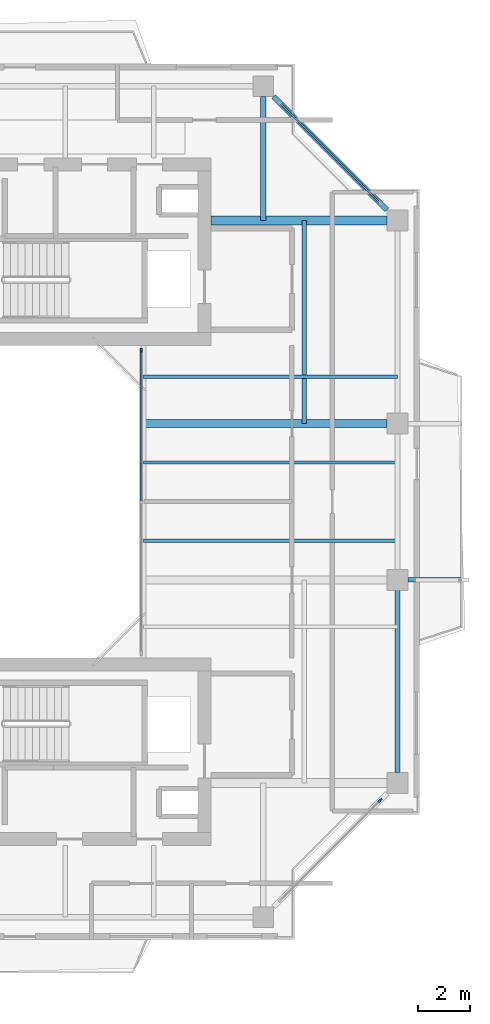
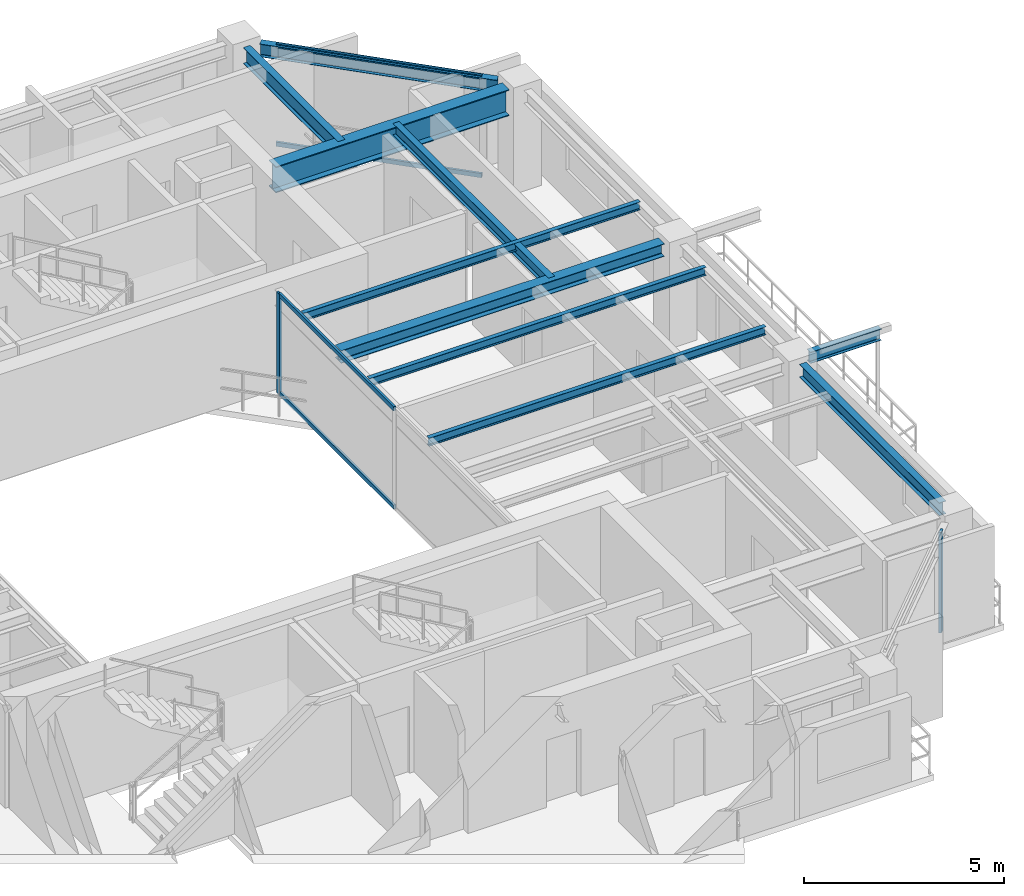
# One storey, part 6 of 15: 10 beams, 6 members, 3 elements without a shape of their own.
"""IFC4 building model written with IfcOpenShell, lengths in metres."""

from ifc_helpers import new_model, si_unit, direction, frame, origin, origin_2d, place, context, subcontext, project, spatial, rectangle, i_section, extrude, source, transform, mapped, material, layer, layer_set, material_profile, profile_set, type_object, element, aggregate, save


model = new_model("IFC4")

# Units and contexts
model_context = context("Model", 3, precision=1e-05, world=origin(), true_north=direction((0.0, 1.0)))
body_context = subcontext(model_context, "Body", "Model", "MODEL_VIEW")
ifc_project = project(units=[si_unit("LENGTHUNIT", "METRE"), si_unit("AREAUNIT", "SQUARE_METRE"), si_unit("VOLUMEUNIT", "CUBIC_METRE"), si_unit("PLANEANGLEUNIT", "RADIAN"), si_unit("MASSUNIT", "GRAM", prefix="KILO"), si_unit("THERMODYNAMICTEMPERATUREUNIT", "KELVIN"), si_unit("POWERUNIT", "WATT")], contexts=[model_context])

# Site, building, storey
site_placement = place(None, origin())
site = spatial("IfcSite", under=ifc_project, at=site_placement, CompositionType="ELEMENT")
building_placement = place(site_placement, origin())
building = spatial("IfcBuilding", under=site, at=building_placement, Name="Qiaomeng Ring Towers", CompositionType="ELEMENT")
storey_placement = place(building_placement, frame((0.0, 0.0, 226.25)))
storey = spatial("IfcBuildingStorey", under=building, at=storey_placement, Name="L66", CompositionType="ELEMENT", Elevation=226.25)

# Beams
ifc_material_1 = material(Name="Steel Q355B", Category="steel")
ifc_material_profile_1 = material_profile(ifc_material_1, i_section(OverallWidth=0.198974609375, OverallDepth=0.39599609375, WebThickness=0.007080078125, FlangeThickness=0.010986328125, FilletRadius=0.01611328125, at=origin_2d()), Name="HN 396x199x7x11")
ifc_profile_set_1 = profile_set([ifc_material_profile_1], Name="Steel Q355B")
beam_type_1 = type_object("IfcBeamType", Name="STR-BM-HN396", PredefinedType="SPANDREL", material=ifc_profile_set_1)
shared_shape_1 = source(origin(), body_context, "Body", "SweptSolid", [
    extrude(i_section(OverallWidth=0.198974609375, OverallDepth=0.39599609375, WebThickness=0.007080078125, FlangeThickness=0.010986328125, FilletRadius=0.01611328125, at=origin_2d()), origin(), (0.0, 0.0, 1.0), 6.154052734375),
])
beam_1_placement = place(storey_placement, frame((34.55078125, 34.19921875, 2.8720703125), z_axis=(-0.707106781187, 0.707106781187, 0.0), x_axis=(-0.707106781187, -0.707106781187, 0.0)))
element("IfcBeam", 1, at=beam_1_placement, inside=storey, type_object=beam_type_1, Name="L66 beam STR-SP-L66-T1-E4-N2", PredefinedType="SPANDREL", context=body_context, shape_type="MappedRepresentation", body=[
    mapped(shared_shape_1, transform((0.0, 0.0, 0.0), x_axis=(1.0, 0.0, 0.0), y_axis=(0.0, 1.0, 0.0), z_axis=(0.0, 0.0, 1.0), scale=1.0)),
])
shared_shape_2 = source(origin(), body_context, "Body", "SweptSolid", [
    extrude(i_section(OverallWidth=0.198974609375, OverallDepth=0.39599609375, WebThickness=0.007080078125, FlangeThickness=0.010986328125, FilletRadius=0.01611328125, at=origin_2d()), origin(), (0.0, 0.0, 1.0), 7.001953125),
])
beam_2_placement = place(storey_placement, frame((34.949951171875, 12.59912109375, 2.8720703125), z_axis=(0.0, 1.0, 0.0), x_axis=(-1.0, 0.0, 0.0)))
element("IfcBeam", 2, at=beam_2_placement, inside=storey, type_object=beam_type_1, Name="L66 beam STR-SP-L66-T1-E1-E2", PredefinedType="SPANDREL", context=body_context, shape_type="MappedRepresentation", body=[
    mapped(shared_shape_2, transform((0.0, 0.0, 0.0), x_axis=(1.0, 0.0, 0.0), y_axis=(0.0, 1.0, 0.0), z_axis=(0.0, 0.0, 1.0), scale=1.0)),
])
ifc_material_2 = material(Name="Steel Q390GJC", Category="steel")
ifc_material_profile_2 = material_profile(ifc_material_2, i_section(OverallWidth=0.35009765625, OverallDepth=0.800048828125, WebThickness=0.01611328125, FlangeThickness=0.028076171875, at=origin_2d()), Name="WH 800x350x16x28")
ifc_profile_set_2 = profile_set([ifc_material_profile_2], Name="Steel Q390GJC")
beam_type_2 = type_object("IfcBeamType", Name="STR-BM-WH800", PredefinedType="BEAM", material=ifc_profile_set_2)
shared_shape_3 = source(origin(), body_context, "Body", "SweptSolid", [
    extrude(i_section(OverallWidth=0.35009765625, OverallDepth=0.800048828125, WebThickness=0.01611328125, FlangeThickness=0.028076171875, at=origin_2d()), origin(), (0.0, 0.0, 1.0), 6.7509765625),
])
beam_3_placement = place(storey_placement, frame((27.800048828125, 33.800048828125, 2.669921875), z_axis=(1.0, 0.0, 0.0), x_axis=(0.0, 1.0, 0.0)))
element("IfcBeam", 3, at=beam_3_placement, inside=storey, type_object=beam_type_2, Name="L66 beam STR-BM-L66-T1-RAD-E4", PredefinedType="BEAM", context=body_context, shape_type="MappedRepresentation", body=[
    mapped(shared_shape_3, transform((0.0, 0.0, 0.0), x_axis=(1.0, 0.0, 0.0), y_axis=(0.0, 1.0, 0.0), z_axis=(0.0, 0.0, 1.0), scale=1.0)),
])
ifc_material_profile_3 = material_profile(ifc_material_1, i_section(OverallWidth=0.300048828125, OverallDepth=0.389892578125, WebThickness=0.010009765625, FlangeThickness=0.01611328125, FilletRadius=0.02197265625, at=origin_2d()), Name="HM 390x300x10x16")
ifc_profile_set_3 = profile_set([ifc_material_profile_3], Name="Steel Q355B")
beam_type_3 = type_object("IfcBeamType", Name="STR-BM-HM390", PredefinedType="BEAM", material=ifc_profile_set_3)
shared_shape_4 = source(origin(), body_context, "Body", "SweptSolid", [
    extrude(i_section(OverallWidth=0.300048828125, OverallDepth=0.389892578125, WebThickness=0.010009765625, FlangeThickness=0.01611328125, FilletRadius=0.02197265625, at=origin_2d()), origin(), (0.0, 0.0, 1.0), 9.35107421875),
])
beam_4_placement = place(storey_placement, frame((25.199951171875, 26.0, 2.875), z_axis=(1.0, 0.0, 0.0), x_axis=(0.0, 1.0, 0.0)))
element("IfcBeam", 4, at=beam_4_placement, inside=storey, type_object=beam_type_3, Name="L66 beam STR-BM-L66-T1-RAD-E3", PredefinedType="BEAM", context=body_context, shape_type="MappedRepresentation", body=[
    mapped(shared_shape_4, transform((0.0, 0.0, 0.0), x_axis=(1.0, 0.0, 0.0), y_axis=(0.0, 1.0, 0.0), z_axis=(0.0, 0.0, 1.0), scale=1.0)),
])
ifc_material_profile_4 = material_profile(ifc_material_1, i_section(OverallWidth=0.175048828125, OverallDepth=0.35009765625, WebThickness=0.007080078125, FlangeThickness=0.010986328125, FilletRadius=0.013916015625, at=origin_2d()), Name="HN 350x175x7x11")
ifc_profile_set_4 = profile_set([ifc_material_profile_4], Name="Steel Q355B")
beam_type_4 = type_object("IfcBeamType", Name="STR-BM-HN350", PredefinedType="JOIST", material=ifc_profile_set_4)
shared_shape_5 = source(origin(), body_context, "Body", "SweptSolid", [
    extrude(i_section(OverallWidth=0.175048828125, OverallDepth=0.35009765625, WebThickness=0.007080078125, FlangeThickness=0.010986328125, FilletRadius=0.013916015625, at=origin_2d()), origin(), (0.0, 0.0, 1.0), 2.05078125),
])
beam_5_placement = place(storey_placement, frame((35.34912109375, 20.0, 2.89501953125), z_axis=(1.0, 0.0, 0.0), x_axis=(0.0, 1.0, 0.0)))
element("IfcBeam", 5, at=beam_5_placement, inside=storey, type_object=beam_type_4, Name="L66 beam STR-BALBM-L66-E2", PredefinedType="JOIST", context=body_context, shape_type="MappedRepresentation", body=[
    mapped(shared_shape_5, transform((0.0, 0.0, 0.0), x_axis=(1.0, 0.0, 0.0), y_axis=(0.0, 1.0, 0.0), z_axis=(0.0, 0.0, 1.0), scale=1.0)),
])
ifc_material_profile_5 = material_profile(ifc_material_1, i_section(OverallWidth=0.125, OverallDepth=0.25, WebThickness=0.006103515625, FlangeThickness=0.009033203125, FilletRadius=0.011962890625, at=origin_2d()), Name="HN 250x125x6x9")
ifc_profile_set_5 = profile_set([ifc_material_profile_5], Name="Steel Q355B")
beam_type_5 = type_object("IfcBeamType", Name="STR-BM-HN250", PredefinedType="JOIST", material=ifc_profile_set_5)
shared_shape_6 = source(origin(), body_context, "Body", "SweptSolid", [
    extrude(i_section(OverallWidth=0.125, OverallDepth=0.25, WebThickness=0.006103515625, FlangeThickness=0.009033203125, FilletRadius=0.011962890625, at=origin_2d()), origin(), (0.0, 0.0, 1.0), 9.75),
])
for number, where, z_axis, x_axis, name in (
    (6, (25.199951171875, 21.5, 2.945068359375), (1.0, 0.0, 0.0), (0.0, 1.0, 0.0), "L66 beam STR-JST-L66-T1E-2"),
    (7, (25.199951171875, 24.5, 2.945068359375), (1.0, 0.0, 0.0), (0.0, 1.0, 0.0), "L66 beam STR-JST-L66-T1E-3"),
    (8, (25.199951171875, 27.800048828125, 2.945068359375), (1.0, 0.0, 0.0), (0.0, 1.0, 0.0), "L66 beam STR-JST-L66-T1E-4"),
):
    element("IfcBeam", number, at=place(storey_placement, frame(where, z_axis=z_axis, x_axis=x_axis)), inside=storey, type_object=beam_type_5, Name=name, PredefinedType="JOIST", context=body_context, shape_type="MappedRepresentation", body=[
        mapped(shared_shape_6, transform((0.0, 0.0, 0.0), x_axis=(1.0, 0.0, 0.0), y_axis=(0.0, 1.0, 0.0), z_axis=(0.0, 0.0, 1.0), scale=1.0)),
    ])
shared_shape_7 = source(origin(), body_context, "Body", "SweptSolid", [
    extrude(i_section(OverallWidth=0.175048828125, OverallDepth=0.35009765625, WebThickness=0.007080078125, FlangeThickness=0.010986328125, FilletRadius=0.013916015625, at=origin_2d()), origin(), (0.0, 0.0, 1.0), 7.800048828125),
])
beam_6_placement = place(storey_placement, frame((31.375, 26.0, 2.89501953125), z_axis=(0.0, 1.0, 0.0), x_axis=(-1.0, 0.0, 0.0)))
element("IfcBeam", 9, at=beam_6_placement, inside=storey, type_object=beam_type_4, Name="L66 beam STR-JST-L66-T1C-EN", PredefinedType="JOIST", context=body_context, shape_type="MappedRepresentation", body=[
    mapped(shared_shape_7, transform((0.0, 0.0, 0.0), x_axis=(1.0, 0.0, 0.0), y_axis=(0.0, 1.0, 0.0), z_axis=(0.0, 0.0, 1.0), scale=1.0)),
])
ifc_material_profile_6 = material_profile(ifc_material_1, i_section(OverallWidth=0.198974609375, OverallDepth=0.49609375, WebThickness=0.009033203125, FlangeThickness=0.013916015625, FilletRadius=0.01806640625, at=origin_2d()), Name="HN 496x199x9x14")
ifc_profile_set_6 = profile_set([ifc_material_profile_6], Name="Steel Q355B")
beam_type_6 = type_object("IfcBeamType", Name="STR-BM-HN496", PredefinedType="BEAM", material=ifc_profile_set_6)
shared_shape_8 = source(origin(), body_context, "Body", "SweptSolid", [
    extrude(i_section(OverallWidth=0.198974609375, OverallDepth=0.49609375, WebThickness=0.009033203125, FlangeThickness=0.013916015625, FilletRadius=0.01806640625, at=origin_2d()), origin(), (0.0, 0.0, 1.0), 4.7509765625),
])
beam_7_placement = place(storey_placement, frame((29.800048828125, 38.551025390625, 2.822021484375), z_axis=(0.0, -1.0, 0.0), x_axis=(1.0, 0.0, 0.0)))
element("IfcBeam", 10, at=beam_7_placement, inside=storey, type_object=beam_type_6, Name="L66 beam STR-BM-L66-T1-RAD-N2", PredefinedType="BEAM", context=body_context, shape_type="MappedRepresentation", body=[
    mapped(shared_shape_8, transform((0.0, 0.0, 0.0), x_axis=(1.0, 0.0, 0.0), y_axis=(0.0, 1.0, 0.0), z_axis=(0.0, 0.0, 1.0), scale=1.0)),
])

# Curtain wall, members
ifc_material_3 = material(Name="Fluorocarbon dark-grey aluminium", Category="aluminium")
ifc_layer_1 = layer(ifc_material_3, 0.139892578125, Name="Fluorocarbon dark-grey aluminium")
ifc_layer_set_1 = layer_set([ifc_layer_1], Name="Fluorocarbon dark-grey aluminium")
curtain_wall_type_1 = type_object("IfcCurtainWallType", Name="ARC-CW-4", PredefinedType="NOTDEFINED", material=ifc_layer_set_1)
curtain_wall_1_placement = place(storey_placement, origin())
curtain_wall_1 = element("IfcCurtainWall", 11, at=curtain_wall_1_placement, inside=storey, type_object=curtain_wall_type_1, Name="L66 Curtain Wall CW4", PredefinedType="NOTDEFINED")
ifc_material_profile_7 = material_profile(ifc_material_3, rectangle(XDim=0.06494140625, YDim=0.159912109375, at=origin_2d()), Name="ALU MULL 65x160")
ifc_profile_set_7 = profile_set([ifc_material_profile_7], Name="Fluorocarbon dark-grey aluminium")
member_type_1 = type_object("IfcMemberType", Name="ARC-CWM-140", PredefinedType="MULLION", material=ifc_profile_set_7)
shared_shape_9 = source(origin(), body_context, "Body", "SweptSolid", [
    extrude(rectangle(XDim=0.06494140625, YDim=0.159912109375, at=origin_2d()), origin(), (0.0, 0.0, 1.0), 3.070068359375),
])
member_1_placement = place(storey_placement, frame((25.1201171875, 28.8173828125, 0.0), z_axis=(0.0, 0.0, 1.0), x_axis=(-1.0, 0.0, 0.0)))
member_1 = element("IfcMember", 12, at=member_1_placement, type_object=member_type_1, Name="CW4 mullion 3", PredefinedType="MULLION", context=body_context, shape_type="MappedRepresentation", body=[
    mapped(shared_shape_9, transform((0.0, 0.0, 0.0), x_axis=(1.0, 0.0, 0.0), y_axis=(0.0, 1.0, 0.0), z_axis=(0.0, 0.0, 1.0), scale=1.0)),
])
ifc_material_profile_8 = material_profile(ifc_material_3, rectangle(XDim=0.06494140625, YDim=0.1298828125, at=origin_2d()), Name="ALU TRAN 65x130")
ifc_profile_set_8 = profile_set([ifc_material_profile_8], Name="Fluorocarbon dark-grey aluminium")
member_type_2 = type_object("IfcMemberType", Name="ARC-CWT-120", PredefinedType="USERDEFINED", material=ifc_profile_set_8)
shared_shape_10 = source(origin(), body_context, "Body", "SweptSolid", [
    extrude(rectangle(XDim=0.06494140625, YDim=0.1298828125, at=origin_2d()), origin(), (0.0, 0.0, 1.0), 5.75244140625),
])
member_2_placement = place(storey_placement, frame((25.1201171875, 23.032470703125, 0.032470703125), z_axis=(0.0, 1.0, 0.0), x_axis=(-1.0, 0.0, 0.0)))
member_2 = element("IfcMember", 13, at=member_2_placement, type_object=member_type_2, Name="CW4 transom 2.1", ObjectType="TRANSOM", PredefinedType="USERDEFINED", context=body_context, shape_type="MappedRepresentation", body=[
    mapped(shared_shape_10, transform((0.0, 0.0, 0.0), x_axis=(1.0, 0.0, 0.0), y_axis=(0.0, 1.0, 0.0), z_axis=(0.0, 0.0, 1.0), scale=1.0)),
])
member_3_placement = place(storey_placement, frame((25.1201171875, 23.032470703125, 3.03759765625), z_axis=(0.0, 1.0, 0.0), x_axis=(-1.0, 0.0, 0.0)))
member_3 = element("IfcMember", 14, at=member_3_placement, type_object=member_type_2, Name="CW4 transom 2.2", ObjectType="TRANSOM", PredefinedType="USERDEFINED", context=body_context, shape_type="MappedRepresentation", body=[
    mapped(shared_shape_10, transform((0.0, 0.0, 0.0), x_axis=(1.0, 0.0, 0.0), y_axis=(0.0, 1.0, 0.0), z_axis=(0.0, 0.0, 1.0), scale=1.0)),
])
aggregate(curtain_wall_1, [member_1, member_2, member_3])

# Curtain wall, member
ifc_layer_2 = layer(ifc_material_3, 0.14990234375, Name="Fluorocarbon dark-grey aluminium")
ifc_layer_set_2 = layer_set([ifc_layer_2], Name="Fluorocarbon dark-grey aluminium")
curtain_wall_type_2 = type_object("IfcCurtainWallType", Name="ARC-CW-3", PredefinedType="NOTDEFINED", material=ifc_layer_set_2)
curtain_wall_2_placement = place(storey_placement, origin())
curtain_wall_2 = element("IfcCurtainWall", 15, at=curtain_wall_2_placement, inside=storey, type_object=curtain_wall_type_2, Name="L66 Curtain Wall CW3", PredefinedType="NOTDEFINED")
ifc_material_profile_9 = material_profile(ifc_material_3, rectangle(XDim=0.070068359375, YDim=0.179931640625, at=origin_2d()), Name="ALU MULL 70x180")
ifc_profile_set_9 = profile_set([ifc_material_profile_9], Name="Fluorocarbon dark-grey aluminium")
member_type_3 = type_object("IfcMemberType", Name="ARC-CWM-160", PredefinedType="MULLION", material=ifc_profile_set_9)
shared_shape_11 = source(origin(), body_context, "Body", "SweptSolid", [
    extrude(rectangle(XDim=0.070068359375, YDim=0.179931640625, at=origin_2d()), origin(), (0.0, 0.0, 1.0), 3.070068359375),
])
member_4_placement = place(storey_placement, frame((34.28515625, 11.53515625, 0.0), z_axis=(0.0, 0.0, 1.0), x_axis=(-0.707106781187, 0.707106781187, 0.0)))
member_4 = element("IfcMember", 16, at=member_4_placement, type_object=member_type_3, Name="CW3 mullion 2", PredefinedType="MULLION", context=body_context, shape_type="MappedRepresentation", body=[
    mapped(shared_shape_11, transform((0.0, 0.0, 0.0), x_axis=(1.0, 0.0, 0.0), y_axis=(0.0, 1.0, 0.0), z_axis=(0.0, 0.0, 1.0), scale=1.0)),
])
aggregate(curtain_wall_2, [member_4])

# Curtain wall, members
curtain_wall_3_placement = place(storey_placement, origin())
curtain_wall_3 = element("IfcCurtainWall", 17, at=curtain_wall_3_placement, inside=storey, type_object=curtain_wall_type_2, Name="L66 Curtain Wall CW3", PredefinedType="NOTDEFINED")
shared_shape_12 = source(origin(), body_context, "Body", "SweptSolid", [
    extrude(rectangle(XDim=0.06494140625, YDim=0.1298828125, at=origin_2d()), origin(), (0.0, 0.0, 1.0), 5.3330078125),
])
member_5_placement = place(storey_placement, frame((34.260498046875, 34.489501953125, 0.032470703125), z_axis=(-0.707106781187, 0.707106781187, 0.0), x_axis=(-0.707106781187, -0.707106781187, 0.0)))
member_5 = element("IfcMember", 18, at=member_5_placement, type_object=member_type_2, Name="CW3 transom 1.1", ObjectType="TRANSOM", PredefinedType="USERDEFINED", context=body_context, shape_type="MappedRepresentation", body=[
    mapped(shared_shape_12, transform((0.0, 0.0, 0.0), x_axis=(1.0, 0.0, 0.0), y_axis=(0.0, 1.0, 0.0), z_axis=(0.0, 0.0, 1.0), scale=1.0)),
])
member_6_placement = place(storey_placement, frame((34.260498046875, 34.489501953125, 3.03759765625), z_axis=(-0.707106781187, 0.707106781187, 0.0), x_axis=(-0.707106781187, -0.707106781187, 0.0)))
member_6 = element("IfcMember", 19, at=member_6_placement, type_object=member_type_2, Name="CW3 transom 1.2", ObjectType="TRANSOM", PredefinedType="USERDEFINED", context=body_context, shape_type="MappedRepresentation", body=[
    mapped(shared_shape_12, transform((0.0, 0.0, 0.0), x_axis=(1.0, 0.0, 0.0), y_axis=(0.0, 1.0, 0.0), z_axis=(0.0, 0.0, 1.0), scale=1.0)),
])
aggregate(curtain_wall_3, [member_5, member_6])

save(model, "model.ifc")
